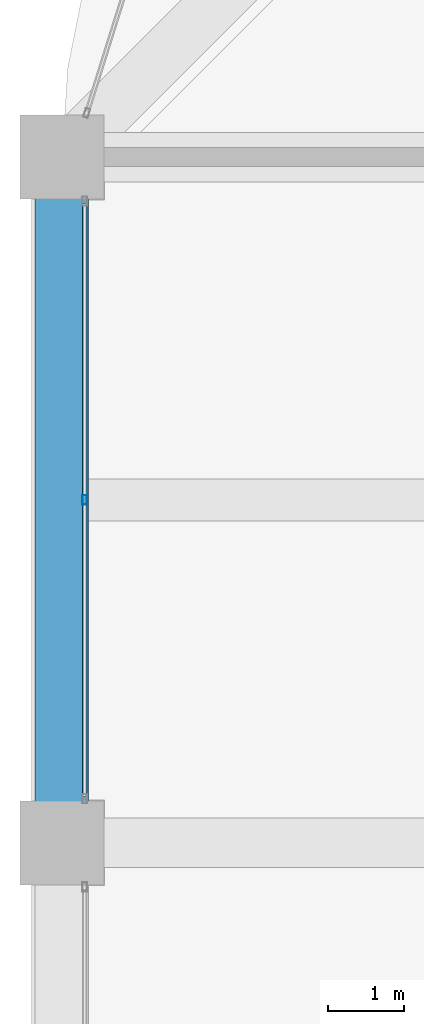
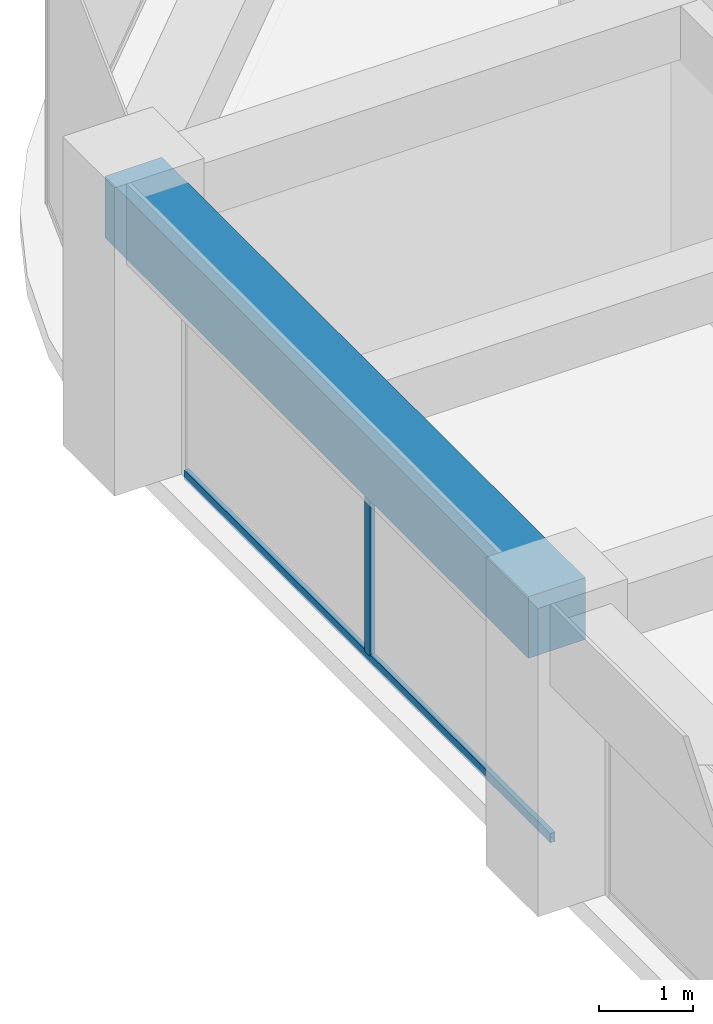
# One storey, part 16 of 44: 2 members, 1 beam, 1 element without a shape of its own.
"""IFC4 building model written with IfcOpenShell, lengths in metres."""

from ifc_helpers import new_model, si_unit, direction, frame, origin, origin_2d, place, context, subcontext, project, spatial, rectangle, hollow_rectangle, extrude, material, material_profile, profile_set, type_object, element, aggregate, save


model = new_model("IFC4")

# Units and contexts
model_context = context("Model", 3, precision=1e-05, world=origin(), true_north=direction((0.0, 1.0)))
body_context = subcontext(model_context, "Body", "Model", "MODEL_VIEW")
ifc_project = project(units=[si_unit("LENGTHUNIT", "METRE"), si_unit("AREAUNIT", "SQUARE_METRE"), si_unit("VOLUMEUNIT", "CUBIC_METRE"), si_unit("PLANEANGLEUNIT", "RADIAN"), si_unit("MASSUNIT", "GRAM", prefix="KILO")], contexts=[model_context])

# Site, building, storey
site_placement = place(None, origin())
site = spatial("IfcSite", under=ifc_project, at=site_placement, CompositionType="ELEMENT")
building_placement = place(site_placement, origin())
building = spatial("IfcBuilding", under=site, at=building_placement, Name="Zorevar Civic Tower", CompositionType="ELEMENT")
storey_placement = place(building_placement, frame((0.0, 0.0, 271.39990234375)))
storey = spatial("IfcBuildingStorey", under=building, at=storey_placement, Name="L66", CompositionType="ELEMENT", Elevation=271.39990234375)

# Curtain wall, members
ifc_material_1 = material(Name="Dark grey solar-control glass in black aluminium frame", Category="aluminium")
curtain_wall_type = type_object("IfcCurtainWallType", Name="Curtain wall CW5 top zone", PredefinedType="NOTDEFINED", material=ifc_material_1)
curtain_wall_placement = place(storey_placement, origin())
curtain_wall = element("IfcCurtainWall", 1, at=curtain_wall_placement, inside=storey, type_object=curtain_wall_type, Name="CW5 L66", PredefinedType="NOTDEFINED")
ifc_material_2 = material(Name="Aluminium, black anodised", Category="aluminium")
ifc_material_profile_1 = material_profile(ifc_material_2, hollow_rectangle(XDim=0.06005859375, YDim=0.1201171875, WallThickness=0.0029296875, at=origin_2d()), Name="AL 120x60x3")
ifc_profile_set_1 = profile_set([ifc_material_profile_1], Name="Aluminium, black anodised")
member_type_1 = type_object("IfcMemberType", Name="CW5 mullion AL 120x60x3", PredefinedType="MULLION", material=ifc_profile_set_1)
member_1_placement = place(storey_placement, frame((9.300048828125, 31.5, 0.06005859375), z_axis=(0.0, 0.0, 1.0), x_axis=(-1.0, 0.0, 0.0)))
member_1 = element("IfcMember", 2, at=member_1_placement, type_object=member_type_1, Name="CW5 mullion 2", PredefinedType="MULLION", context=body_context, shape_type="SweptSolid", body=[
    extrude(hollow_rectangle(XDim=0.06005859375, YDim=0.1201171875, WallThickness=0.0029296875, at=origin_2d()), origin(), (0.0, 0.0, 1.0), 2.89013671875),
])
ifc_material_3 = material(Name="Aluminium, black anodised", Category="aluminium")
ifc_material_profile_2 = material_profile(ifc_material_3, hollow_rectangle(XDim=0.06005859375, YDim=0.1201171875, WallThickness=0.0029296875, at=origin_2d()), Name="AL 120x60x3")
ifc_profile_set_2 = profile_set([ifc_material_profile_2], Name="Aluminium, black anodised")
member_type_2 = type_object("IfcMemberType", Name="CW5 transom AL 120x60x3", PredefinedType="USERDEFINED", material=ifc_profile_set_2)
member_2_placement = place(storey_placement, frame((9.300048828125, 27.610107421875, 0.030029296875), z_axis=(0.0, 1.0, 0.0), x_axis=(-1.0, 0.0, 0.0)))
member_2 = element("IfcMember", 3, at=member_2_placement, type_object=member_type_2, Name="CW5 sill transom", ObjectType="TRANSOM", PredefinedType="USERDEFINED", context=body_context, shape_type="SweptSolid", body=[
    extrude(hollow_rectangle(XDim=0.06005859375, YDim=0.1201171875, WallThickness=0.0029296875, at=origin_2d()), origin(), (0.0, 0.0, 1.0), 7.77978515625),
])
aggregate(curtain_wall, [member_1, member_2])

# Beam
ifc_material_4 = material(Name="Concrete C50/60", Category="concrete")
ifc_material_profile_3 = material_profile(ifc_material_4, rectangle(XDim=0.699951171875, YDim=0.800048828125, at=origin_2d()), Name="RC 700x800")
ifc_profile_set_3 = profile_set([ifc_material_profile_3], Name="Concrete C50/60")
beam_type = type_object("IfcBeamType", Name="Edge beam RC 700x800", PredefinedType="SPANDREL", material=ifc_profile_set_3)
beam_placement = place(storey_placement, frame((9.0, 27.0, 3.35009765625), z_axis=(0.0, 1.0, 0.0), x_axis=(-1.0, 0.0, 0.0)))
element("IfcBeam", 4, at=beam_placement, inside=storey, type_object=beam_type, Name="Edge beam L67", PredefinedType="SPANDREL", context=body_context, shape_type="SweptSolid", body=[
    extrude(rectangle(XDim=0.699951171875, YDim=0.800048828125, at=origin_2d()), origin(), (0.0, 0.0, 1.0), 9.0),
])

save(model, "model.ifc")
